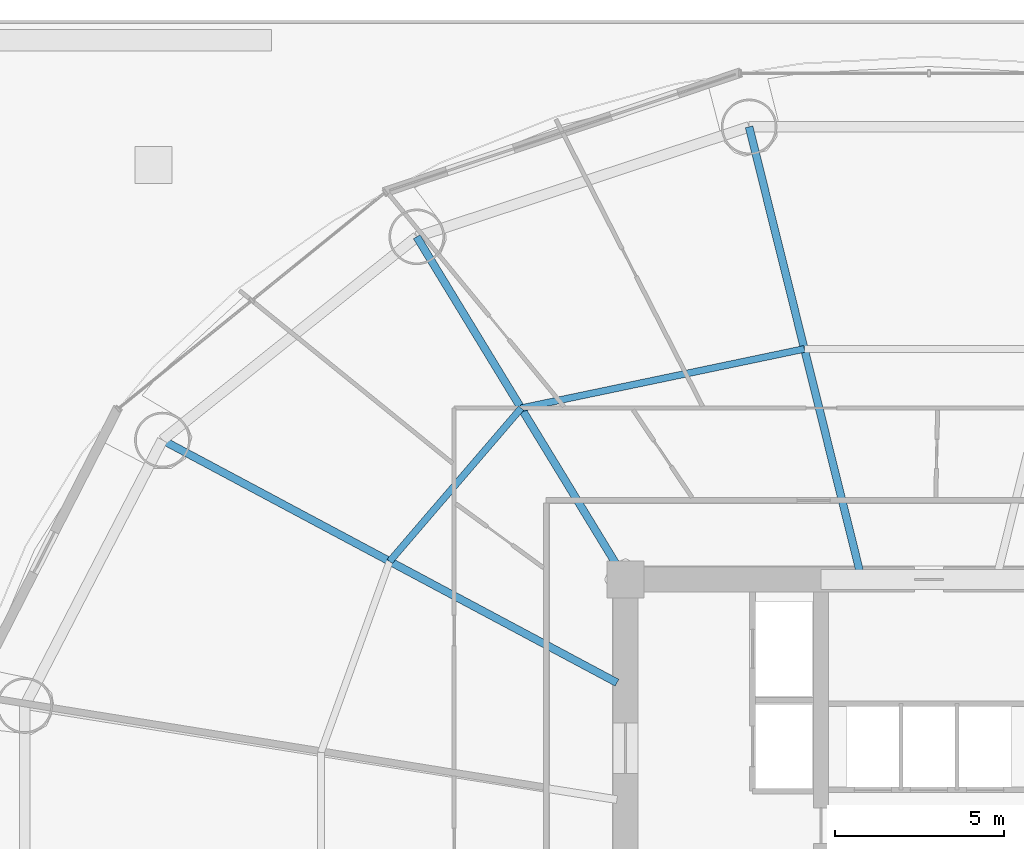
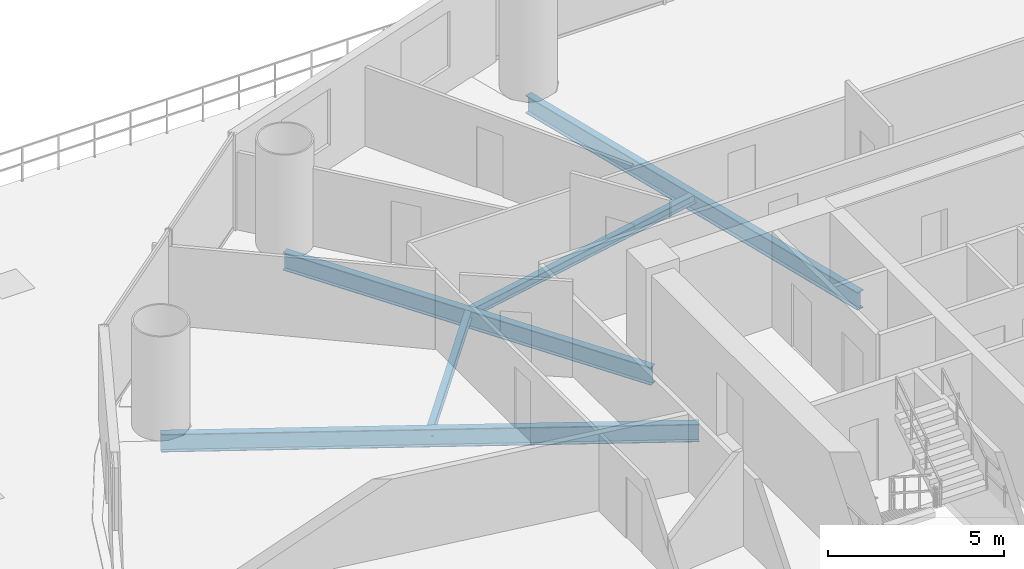
# One storey, part 23 of 37: 5 beams.
"""IFC4 building model written with IfcOpenShell, lengths in metres."""

from ifc_helpers import new_model, si_unit, direction, frame, origin, origin_2d, place, context, subcontext, project, spatial, i_section, extrude, material, material_profile, profile_set, type_object, element, save


model = new_model("IFC4")

# Units and contexts
model_context = context("Model", 3, precision=1e-05, world=origin(), true_north=direction((-0.2419218956, 0.970295726276)))
body_context = subcontext(model_context, "Body", "Model", "MODEL_VIEW")
ifc_project = project(units=[si_unit("LENGTHUNIT", "METRE"), si_unit("AREAUNIT", "SQUARE_METRE"), si_unit("VOLUMEUNIT", "CUBIC_METRE"), si_unit("PLANEANGLEUNIT", "RADIAN"), si_unit("MASSUNIT", "GRAM", prefix="KILO")], contexts=[model_context])

# Site, building, storey
site_placement = place(None, origin())
site = spatial("IfcSite", under=ifc_project, at=site_placement, CompositionType="ELEMENT")
building_placement = place(site_placement, origin())
building = spatial("IfcBuilding", under=site, at=building_placement, Name="Cobrevalo Terracotta Tower", CompositionType="ELEMENT")
storey_placement = place(building_placement, frame((0.0, 0.0, 24.0)))
storey = spatial("IfcBuildingStorey", under=building, at=storey_placement, Name="L05", CompositionType="ELEMENT", Elevation=24.0)

# Beams
ifc_material = material(Name="Steel S355", Category="steel")
ifc_material_profile_1 = material_profile(ifc_material, i_section(OverallWidth=0.22998046875, OverallDepth=0.616943359375, WebThickness=0.01318359375, FlangeThickness=0.022216796875, at=origin_2d()), Name="W 610x140")
ifc_profile_set_1 = profile_set([ifc_material_profile_1], Name="Steel S355")
beam_type_1 = type_object("IfcBeamType", Name="Structural Beam W 610x140 (Steel S355)", PredefinedType="BEAM", material=ifc_profile_set_1)
beam_1_placement = place(storey_placement, frame((32.664306640625, 48.230224609375, -0.58837890625), z_axis=(0.241596254786, -0.970376859614, 0.0), x_axis=(0.970376859614, 0.241596254786, 0.0)))
element("IfcBeam", 1, at=beam_1_placement, inside=storey, type_object=beam_type_1, Name="L05 radial floor girder 05", PredefinedType="BEAM", context=body_context, shape_type="SweptSolid", body=[
    extrude(i_section(OverallWidth=0.22998046875, OverallDepth=0.616943359375, WebThickness=0.01318359375, FlangeThickness=0.022216796875, at=origin_2d()), origin(), (0.0, 0.0, 1.0), 13.577392578125),
])
beam_2_placement = place(storey_placement, frame((22.80517578125, 44.967529296875, -0.58837890625), z_axis=(0.520309892051, -0.853977526773, 0.0), x_axis=(0.853977526773, 0.520309892051, 0.0)))
element("IfcBeam", 2, at=beam_2_placement, inside=storey, type_object=beam_type_1, Name="L05 radial floor girder 06", PredefinedType="BEAM", context=body_context, shape_type="SweptSolid", body=[
    extrude(i_section(OverallWidth=0.22998046875, OverallDepth=0.616943359375, WebThickness=0.01318359375, FlangeThickness=0.022216796875, at=origin_2d()), origin(), (0.0, 0.0, 1.0), 11.906005859375),
])
beam_3_placement = place(storey_placement, frame((15.25927734375, 38.939208984375, -0.58837890625), z_axis=(0.88218223571, -0.470908168329, 0.0), x_axis=(0.470908168329, 0.88218223571, 0.0)))
element("IfcBeam", 3, at=beam_3_placement, inside=storey, type_object=beam_type_1, Name="L05 radial floor girder 07", PredefinedType="BEAM", context=body_context, shape_type="SweptSolid", body=[
    extrude(i_section(OverallWidth=0.22998046875, OverallDepth=0.616943359375, WebThickness=0.01318359375, FlangeThickness=0.022216796875, at=origin_2d()), origin(), (0.0, 0.0, 1.0), 15.286865234375),
])
ifc_material_profile_2 = material_profile(ifc_material, i_section(OverallWidth=0.2041015625, OverallDepth=0.305908203125, WebThickness=0.008544921875, FlangeThickness=0.0146484375, at=origin_2d()), Name="W 310x67")
ifc_profile_set_2 = profile_set([ifc_material_profile_2], Name="Steel S355")
beam_type_2 = type_object("IfcBeamType", Name="Structural Joist W 310x67 (Steel S355)", PredefinedType="JOIST", material=ifc_profile_set_2)
beam_4_placement = place(storey_placement, frame((34.304443359375, 41.642578125, -0.43310546875), z_axis=(-0.978784523904, -0.204892302848, 0.0), x_axis=(0.204892302848, -0.978784523904, 0.0)))
element("IfcBeam", 4, at=beam_4_placement, inside=storey, type_object=beam_type_2, Name="L05 circumferential secondary floor joist 05", PredefinedType="JOIST", context=body_context, shape_type="SweptSolid", body=[
    extrude(i_section(OverallWidth=0.2041015625, OverallDepth=0.305908203125, WebThickness=0.008544921875, FlangeThickness=0.0146484375, at=origin_2d()), origin(), (0.0, 0.0, 1.0), 8.583984375),
])
beam_5_placement = place(storey_placement, frame((25.902587890625, 39.8837890625, -0.43310546875), z_axis=(-0.651328404454, -0.758795960421, 0.0), x_axis=(0.758795960421, -0.651328404454, 0.0)))
element("IfcBeam", 5, at=beam_5_placement, inside=storey, type_object=beam_type_2, Name="L05 circumferential secondary floor joist 06", PredefinedType="JOIST", context=body_context, shape_type="SweptSolid", body=[
    extrude(i_section(OverallWidth=0.2041015625, OverallDepth=0.305908203125, WebThickness=0.008544921875, FlangeThickness=0.0146484375, at=origin_2d()), origin(), (0.0, 0.0, 1.0), 5.98828125),
])

save(model, "model.ifc")
